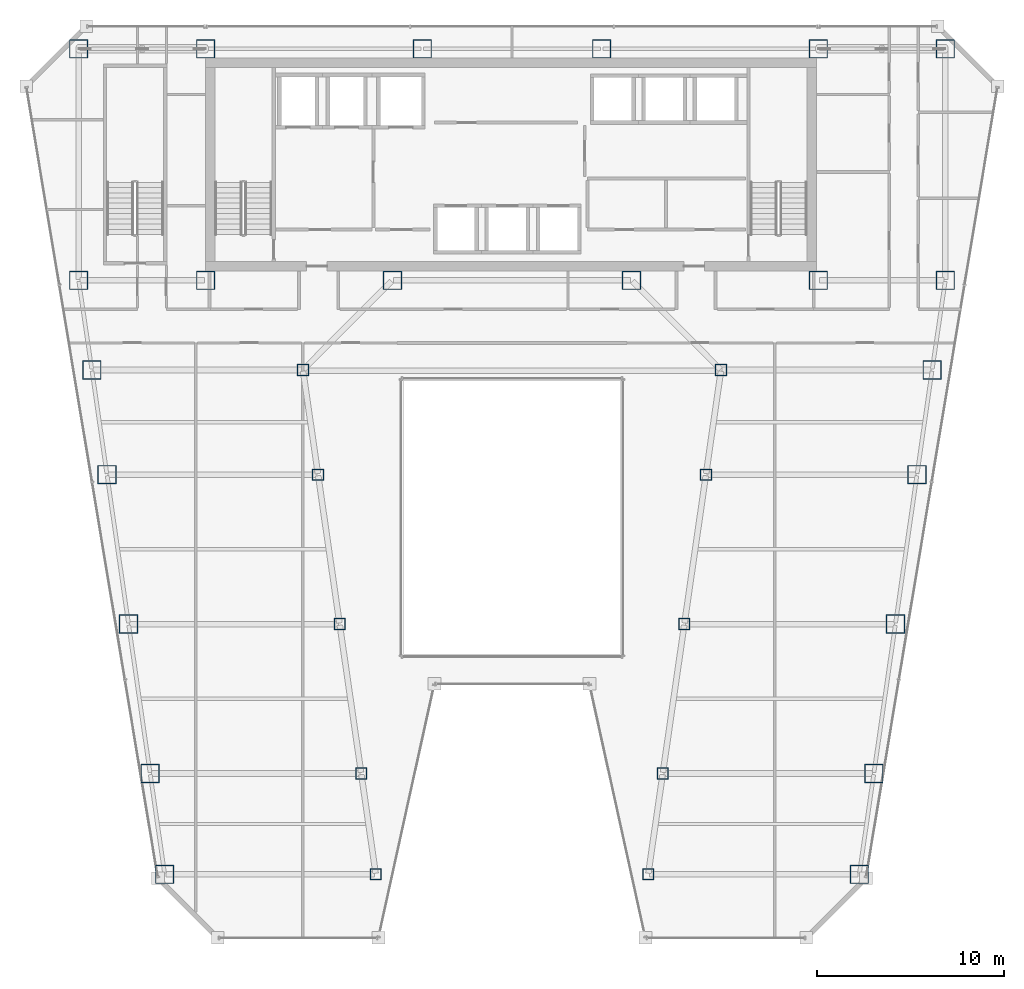
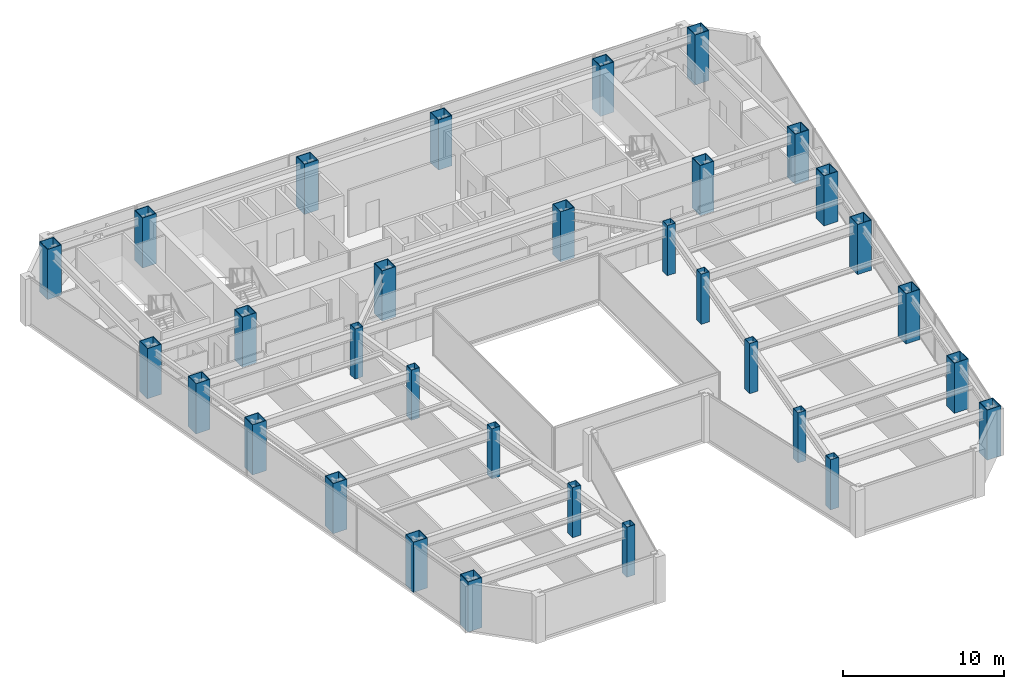
# One storey, part 1 of 37: 32 columns.
"""IFC4 building model written with IfcOpenShell, lengths in metres."""

from ifc_helpers import new_model, si_unit, direction, frame, origin, origin_2d, place, context, subcontext, project, spatial, hollow_rectangle, extrude, material, material_profile, profile_set, type_object, element, save


model = new_model("IFC4")

# Units and contexts
model_context = context("Model", 3, precision=1e-05, world=origin(), true_north=direction((0.0, 1.0)))
body_context = subcontext(model_context, "Body", "Model", "MODEL_VIEW")
ifc_project = project(units=[si_unit("LENGTHUNIT", "METRE"), si_unit("AREAUNIT", "SQUARE_METRE"), si_unit("VOLUMEUNIT", "CUBIC_METRE"), si_unit("PLANEANGLEUNIT", "RADIAN"), si_unit("MASSUNIT", "GRAM", prefix="KILO")], contexts=[model_context])

# Site, building, storey
site_placement = place(None, origin())
site = spatial("IfcSite", under=ifc_project, at=site_placement, CompositionType="ELEMENT")
building_placement = place(site_placement, origin())
building = spatial("IfcBuilding", under=site, at=building_placement, Name="Saevonmaru Cultural Tower", CompositionType="ELEMENT")
storey_placement = place(building_placement, frame((0.0, 0.0, 160.0)))
storey = spatial("IfcBuildingStorey", under=building, at=storey_placement, Name="L35", CompositionType="ELEMENT", Elevation=160.0)

# Columns
ifc_material_1 = material(Name="Steel SM420", Category="steel")
ifc_material_profile_1 = material_profile(ifc_material_1, hollow_rectangle(XDim=1.0, YDim=1.0, WallThickness=0.044921875, at=origin_2d()), Name="BOX-1000x1000x45")
ifc_profile_set_1 = profile_set([ifc_material_profile_1], Name="Steel SM420")
column_type_1 = type_object("IfcColumnType", Name="COL-BOX-1000", PredefinedType="COLUMN", material=ifc_profile_set_1)
for number, where, z_axis, x_axis, name in (
    (1, (6.800048828125, 54.800048828125, 0.0), (0.0, 0.0, 1.0), (1.0, 0.0, 0.0), "L35 Column TC-N1N"),
    (2, (13.60009765625, 54.800048828125, 0.0), (0.0, 0.0, 1.0), (1.0, 0.0, 0.0), "L35 Column TC-N2N"),
    (3, (25.199951171875, 54.800048828125, 0.0), (0.0, 0.0, 1.0), (1.0, 0.0, 0.0), "L35 Column TC-N3N"),
    (4, (34.800048828125, 54.800048828125, 0.0), (0.0, 0.0, 1.0), (1.0, 0.0, 0.0), "L35 Column TC-N4N"),
    (5, (46.39990234375, 54.800048828125, 0.0), (0.0, 0.0, 1.0), (1.0, 0.0, 0.0), "L35 Column TC-N5N"),
    (6, (53.199951171875, 54.800048828125, 0.0), (0.0, 0.0, 1.0), (1.0, 0.0, 0.0), "L35 Column TC-N6N"),
    (7, (6.800048828125, 42.39990234375, 0.0), (0.0, 0.0, 1.0), (1.0, 0.0, 0.0), "L35 Column TC-S1C"),
    (8, (13.60009765625, 42.39990234375, 0.0), (0.0, 0.0, 1.0), (1.0, 0.0, 0.0), "L35 Column TC-S2C"),
    (9, (23.60009765625, 42.39990234375, 0.0), (0.0, 0.0, 1.0), (1.0, 0.0, 0.0), "L35 Column TC-S3C"),
    (10, (36.39990234375, 42.39990234375, 0.0), (0.0, 0.0, 1.0), (1.0, 0.0, 0.0), "L35 Column TC-S4C"),
    (11, (46.39990234375, 42.39990234375, 0.0), (0.0, 0.0, 1.0), (1.0, 0.0, 0.0), "L35 Column TC-S5C"),
    (12, (53.199951171875, 42.39990234375, 0.0), (0.0, 0.0, 1.0), (1.0, 0.0, 0.0), "L35 Column TC-S6C"),
    (13, (11.407958984375, 10.60009765625, 0.0), (0.0, 0.0, 1.0), (1.0, 0.0, 0.0), "L35 Column TC-WO-Y106"),
    (14, (48.592041015625, 10.60009765625, 0.0), (0.0, 0.0, 1.0), (1.0, 0.0, 0.0), "L35 Column TC-EO-Y106"),
    (15, (10.6279296875, 16.0, 0.0), (0.0, 0.0, 1.0), (1.0, 0.0, 0.0), "L35 Column TC-WO-Y160"),
    (16, (49.3720703125, 16.0, 0.0), (0.0, 0.0, 1.0), (1.0, 0.0, 0.0), "L35 Column TC-EO-Y160"),
    (17, (9.471923828125, 24.0, 0.0), (0.0, 0.0, 1.0), (1.0, 0.0, 0.0), "L35 Column TC-WO-Y240"),
    (18, (50.528076171875, 24.0, 0.0), (0.0, 0.0, 1.0), (1.0, 0.0, 0.0), "L35 Column TC-EO-Y240"),
    (19, (8.31689453125, 32.0, 0.0), (0.0, 0.0, 1.0), (1.0, 0.0, 0.0), "L35 Column TC-WO-Y320"),
    (20, (51.68310546875, 32.0, 0.0), (0.0, 0.0, 1.0), (1.0, 0.0, 0.0), "L35 Column TC-EO-Y320"),
    (21, (7.508056640625, 37.60009765625, 0.0), (0.0, 0.0, 1.0), (1.0, 0.0, 0.0), "L35 Column TC-WO-Y376"),
    (22, (52.491943359375, 37.60009765625, 0.0), (0.0, 0.0, 1.0), (1.0, 0.0, 0.0), "L35 Column TC-EO-Y376"),
):
    element("IfcColumn", number, at=place(storey_placement, frame(where, z_axis=z_axis, x_axis=x_axis)), inside=storey, type_object=column_type_1, Name=name, PredefinedType="COLUMN", context=body_context, shape_type="SweptSolid", body=[
        extrude(hollow_rectangle(XDim=1.0, YDim=1.0, WallThickness=0.044921875, at=origin_2d()), origin(), (0.0, 0.0, 1.0), 3.800048828125),
    ])
ifc_material_2 = material(Name="Steel SM355", Category="steel")
ifc_material_profile_2 = material_profile(ifc_material_2, hollow_rectangle(XDim=0.60009765625, YDim=0.60009765625, WallThickness=0.028076171875, at=origin_2d()), Name="BOX-600x600x28")
ifc_profile_set_2 = profile_set([ifc_material_profile_2], Name="Steel SM355")
column_type_2 = type_object("IfcColumnType", Name="COL-BOX-600", PredefinedType="COLUMN", material=ifc_profile_set_2)
for number, where, z_axis, x_axis, name in (
    (23, (22.7080078125, 10.60009765625, 0.0), (0.0, 0.0, 1.0), (1.0, 0.0, 0.0), "L35 Column TC-WI-Y106"),
    (24, (37.2919921875, 10.60009765625, 0.0), (0.0, 0.0, 1.0), (1.0, 0.0, 0.0), "L35 Column TC-EI-Y106"),
    (25, (21.927978515625, 16.0, 0.0), (0.0, 0.0, 1.0), (1.0, 0.0, 0.0), "L35 Column TC-WI-Y160"),
    (26, (38.072021484375, 16.0, 0.0), (0.0, 0.0, 1.0), (1.0, 0.0, 0.0), "L35 Column TC-EI-Y160"),
    (27, (20.77197265625, 24.0, 0.0), (0.0, 0.0, 1.0), (1.0, 0.0, 0.0), "L35 Column TC-WI-Y240"),
    (28, (39.22802734375, 24.0, 0.0), (0.0, 0.0, 1.0), (1.0, 0.0, 0.0), "L35 Column TC-EI-Y240"),
    (29, (19.616943359375, 32.0, 0.0), (0.0, 0.0, 1.0), (1.0, 0.0, 0.0), "L35 Column TC-WI-Y320"),
    (30, (40.383056640625, 32.0, 0.0), (0.0, 0.0, 1.0), (1.0, 0.0, 0.0), "L35 Column TC-EI-Y320"),
    (31, (18.80810546875, 37.60009765625, 0.0), (0.0, 0.0, 1.0), (1.0, 0.0, 0.0), "L35 Column TC-WI-Y376"),
    (32, (41.19189453125, 37.60009765625, 0.0), (0.0, 0.0, 1.0), (1.0, 0.0, 0.0), "L35 Column TC-EI-Y376"),
):
    element("IfcColumn", number, at=place(storey_placement, frame(where, z_axis=z_axis, x_axis=x_axis)), inside=storey, type_object=column_type_2, Name=name, PredefinedType="COLUMN", context=body_context, shape_type="SweptSolid", body=[
        extrude(hollow_rectangle(XDim=0.60009765625, YDim=0.60009765625, WallThickness=0.028076171875, at=origin_2d()), origin(), (0.0, 0.0, 1.0), 3.800048828125),
    ])

save(model, "model.ifc")
